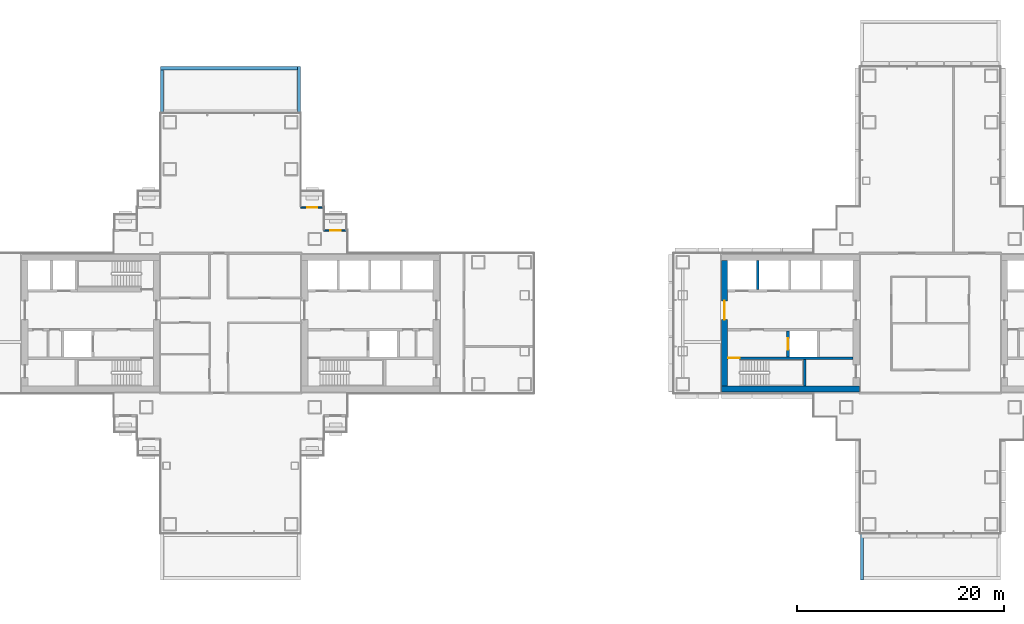
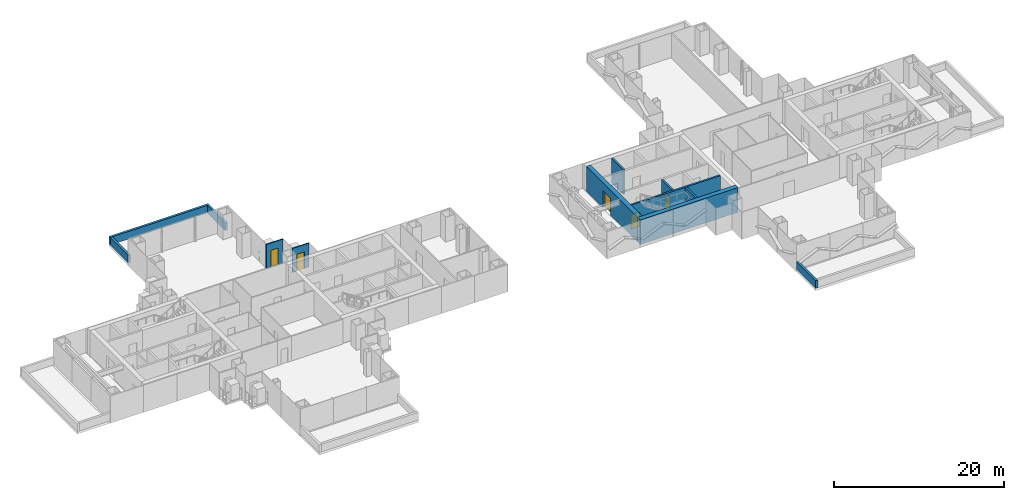
# One storey, part 13 of 20: 12 walls, 5 doors, 5 openings.
"""IFC4 building model written with IfcOpenShell, lengths in metres."""

import ifcopenshell
import ifcopenshell.guid

model = None  # the IFC model being written
_history = None  # IfcOwnerHistory: only IFC2X3 demands one
_inside = {}  # id of a spatial element -> (the spatial element, [elements in it])
_under = {}  # id of a project, library or spatial element -> (it, [spatial elements below it])
_declared = {}  # id of a project -> (the project, [libraries it declares])
_typed = {}  # id of a type object -> (the type object, [elements of that type])
_made_of = {}  # id of a material, layer set ... -> (it, [elements and type objects made of it])


def new_model(schema):
    """Start an empty IFC model of exactly this schema.

    Asked for "IFC4X3", IfcOpenShell would pick the latest addendum, in which some entities
    have other attributes; the version numbers below select the first issue.
    IFC2X3 requires an IfcOwnerHistory on every rooted entity: one is made here for all.
    """
    global model, _history
    if schema == "IFC4X3":
        model = ifcopenshell.file(schema_version=(4, 3, 0, 0))
    else:
        model = ifcopenshell.file(schema=schema)
    _inside.clear()
    _under.clear()
    _declared.clear()
    _typed.clear()
    _made_of.clear()
    _history = None
    if model.schema == "IFC2X3":
        org = make("IfcOrganization", Name="unknown")
        user = make(
            "IfcPersonAndOrganization",
            ThePerson=make("IfcPerson", FamilyName="unknown"),
            TheOrganization=org,
        )
        app = make(
            "IfcApplication",
            ApplicationDeveloper=org,
            Version="unknown",
            ApplicationFullName="unknown",
            ApplicationIdentifier="unknown",
        )
        _history = make(
            "IfcOwnerHistory",
            OwningUser=user,
            OwningApplication=app,
            ChangeAction="ADDED",
            CreationDate=0,
        )
    return model


def make(cls, **values):
    """One entity of the class cls with the attributes given. An attribute that is None is left unset."""
    return model.create_entity(
        cls, **{name: value for name, value in values.items() if value is not None}
    )


def rooted(cls, **values):
    """An entity with a GlobalId (a new one), such as an element, a storey or a relation."""
    return make(cls, GlobalId=ifcopenshell.guid.new(), OwnerHistory=_history, **values)


def si_unit(unit_type, name, prefix=None):
    """IfcSIUnit, for example si_unit("LENGTHUNIT", "METRE", prefix="MILLI")."""
    return make("IfcSIUnit", UnitType=unit_type, Prefix=prefix, Name=name)


def assignment(units):
    """IfcUnitAssignment: the units of a project."""
    return None if units is None else make("IfcUnitAssignment", Units=units)


def point(xyz):
    """IfcCartesianPoint."""
    return None if xyz is None else make("IfcCartesianPoint", Coordinates=xyz)


def direction(xyz):
    """IfcDirection."""
    return None if xyz is None else make("IfcDirection", DirectionRatios=xyz)


def frame(location, z_axis=None, x_axis=None):
    """IfcAxis2Placement3D, a coordinate frame: its origin and axes. An axis left out is left unset."""
    return make(
        "IfcAxis2Placement3D",
        Location=point(location),
        Axis=direction(z_axis),
        RefDirection=direction(x_axis),
    )


def frame_2d(location, x_axis=None):
    """IfcAxis2Placement2D, a coordinate frame in the plane: its origin and x axis."""
    return make(
        "IfcAxis2Placement2D", Location=point(location), RefDirection=direction(x_axis)
    )


def origin():
    """The frame at (0, 0, 0) with its axes left unset."""
    return frame((0.0, 0.0, 0.0))


def place(relative_to, where):
    """IfcLocalPlacement: puts the frame where relative to a parent placement (None: the world)."""
    return make(
        "IfcLocalPlacement", PlacementRelTo=relative_to, RelativePlacement=where
    )


def context(
    kind, dimensions, precision=None, world=None, true_north=None, identifier=None
):
    """IfcGeometricRepresentationContext, for example the 3D "Model" context."""
    return make(
        "IfcGeometricRepresentationContext",
        ContextIdentifier=identifier,
        ContextType=kind,
        CoordinateSpaceDimension=dimensions,
        Precision=precision,
        WorldCoordinateSystem=world,
        TrueNorth=true_north,
    )


def subcontext(parent, identifier, kind, view, scale=None):
    """IfcGeometricRepresentationSubContext, for example "Body" below "Model"."""
    return make(
        "IfcGeometricRepresentationSubContext",
        ContextIdentifier=identifier,
        ContextType=kind,
        ParentContext=parent,
        TargetScale=scale,
        TargetView=view,
    )


def project(units=None, contexts=None):
    """IfcProject with its units and contexts."""
    return rooted(
        "IfcProject",
        Name="project",
        RepresentationContexts=contexts,
        UnitsInContext=assignment(units),
    )


def spatial(cls, under=None, at=None, **own):
    """A site, building, storey or space (cls), placed at a placement, below another one or the project."""
    s = rooted(cls, ObjectPlacement=at, **own)
    if under is not None:
        _under.setdefault(under.id(), (under, []))[1].append(s)
    return s


def profile(cls, at=None, kind="AREA", **sizes):
    """A parametric profile (cls). Its sizes go by their IFC names, for example OverallWidth=200.0."""
    return make(cls, ProfileType=kind, Position=at, **sizes)


def rectangle(**sizes):
    """IfcRectangleProfileDef."""
    return profile("IfcRectangleProfileDef", **sizes)


def extrude(swept, where, along, depth):
    """IfcExtrudedAreaSolid: the profile swept, set in the frame where, extruded along a direction by depth."""
    return make(
        "IfcExtrudedAreaSolid",
        SweptArea=swept,
        Position=where,
        ExtrudedDirection=direction(along),
        Depth=depth,
    )


def shape(context_of_items, identifier, shape_type, items):
    """IfcShapeRepresentation: the items that make up one representation, for example the "Body"."""
    return make(
        "IfcShapeRepresentation",
        ContextOfItems=context_of_items,
        RepresentationIdentifier=identifier,
        RepresentationType=shape_type,
        Items=items,
    )


def material(Name=None, Category=None):
    """IfcMaterial."""
    return make("IfcMaterial", Name=Name, Category=Category)


def layer(
    of_material, thickness, ventilated=None, Name=None, Category=None, Priority=None
):
    """IfcMaterialLayer: one layer of a wall or slab, of a material (None: an air gap)."""
    return make(
        "IfcMaterialLayer",
        Material=of_material,
        LayerThickness=thickness,
        IsVentilated=ventilated,
        Name=Name,
        Category=Category,
        Priority=Priority,
    )


def layer_set(layers, Name=None):
    """IfcMaterialLayerSet."""
    return make("IfcMaterialLayerSet", MaterialLayers=layers, LayerSetName=Name)


def made_of(thing, what):
    """Note that an element or type object is made of a material, layer set ...; save() writes the relation."""
    if what is not None:
        _made_of.setdefault(what.id(), (what, []))[1].append(thing)
    return thing


def type_object(cls, material=None, **own):
    """A type object (cls), such as IfcWallType, which elements share."""
    return made_of(rooted(cls, **own), material)


def element(
    cls,
    number,
    at=None,
    inside=None,
    cuts=None,
    type_object=None,
    material=None,
    context=None,
    identifier="Body",
    shape_type=None,
    held_by="IfcProductDefinitionShape",
    body=None,
    shapes=None,
    **own,
):
    """One element of the class cls, such as IfcWall. Its Tag is "e" and its number.

    at: its placement. inside: the storey or other place that contains it. cuts: it is an
    opening in that element (IfcRelVoidsElement). A single representation is given by context,
    identifier, shape_type and body (its items); several are given by shapes. held_by: the class
    of the entity that holds the representations. save() writes the other relations.
    """
    e = rooted(cls, Tag="e%d" % number, ObjectPlacement=at, **own)
    if body is not None:
        shapes = [shape(context, identifier, shape_type, body)]
    if shapes is not None:
        e.Representation = make(held_by, Representations=shapes)
    if inside is not None:
        _inside.setdefault(inside.id(), (inside, []))[1].append(e)
    if cuts is not None:
        rooted(
            "IfcRelVoidsElement", RelatingBuildingElement=cuts, RelatedOpeningElement=e
        )
    if type_object is not None:
        _typed.setdefault(type_object.id(), (type_object, []))[1].append(e)
    return made_of(e, material)


def fill(opening, filler):
    """IfcRelFillsElement: the door or window that sits in an opening."""
    return rooted(
        "IfcRelFillsElement",
        RelatingOpeningElement=opening,
        RelatedBuildingElement=filler,
    )


def aggregate(whole, parts):
    """IfcRelAggregates: a whole, such as a stair, and the parts it consists of."""
    return rooted("IfcRelAggregates", RelatingObject=whole, RelatedObjects=parts)


def save(model, path):
    """Write the relations noted so far, then the file.

    IfcRelAggregates (storeys below a building ...), IfcRelContainedInSpatialStructure (elements
    in a storey), IfcRelDefinesByType, IfcRelAssociatesMaterial and IfcRelDeclares: one each for
    every whole, place, type object, material and project.
    """
    for whole, parts in _under.values():
        aggregate(whole, parts)
    for where, things in _inside.values():
        rooted(
            "IfcRelContainedInSpatialStructure",
            RelatedElements=things,
            RelatingStructure=where,
        )
    for kind, things in _typed.values():
        rooted("IfcRelDefinesByType", RelatedObjects=things, RelatingType=kind)
    for what, things in _made_of.values():
        rooted("IfcRelAssociatesMaterial", RelatedObjects=things, RelatingMaterial=what)
    for by, libraries in _declared.values():
        rooted("IfcRelDeclares", RelatingContext=by, RelatedDefinitions=libraries)
    model.write(path)


model = new_model("IFC4")

# Units and contexts
model_context = context("Model", 3, precision=1e-05, world=origin(), true_north=direction((0.0, 1.0)))
body_context = subcontext(model_context, "Body", "Model", "MODEL_VIEW")
ifc_project = project(units=[si_unit("LENGTHUNIT", "METRE"), si_unit("AREAUNIT", "SQUARE_METRE"), si_unit("VOLUMEUNIT", "CUBIC_METRE"), si_unit("PLANEANGLEUNIT", "RADIAN"), si_unit("MASSUNIT", "GRAM", prefix="KILO")], contexts=[model_context])

# Site, building, storey
site_placement = place(None, origin())
site = spatial("IfcSite", under=ifc_project, at=site_placement, CompositionType="ELEMENT")
building_placement = place(site_placement, origin())
building = spatial("IfcBuilding", under=site, at=building_placement, Name="Shamsa Quay Exchange Towers", CompositionType="ELEMENT")
storey_placement = place(building_placement, frame((0.0, 0.0, 81.89990234375)))
storey = spatial("IfcBuildingStorey", under=building, at=storey_placement, Name="L18", CompositionType="ELEMENT", Elevation=81.89990234375)

# Wall, opening, door
ifc_material_1 = material(Name="Aluminium EN AW-6063 T6, black anodised, with black enamelled glass infill", Category="aluminium")
ifc_layer_1 = layer(ifc_material_1, 0.14990234375)
ifc_layer_set_1 = layer_set([ifc_layer_1], Name="BALCONY DOOR BAY WALL 150")
wall_type_1 = type_object("IfcWallType", Name="BALCONY DOOR BAY WALL 150", PredefinedType="SOLIDWALL", material=ifc_layer_set_1)
wall_1_placement = place(storey_placement, frame((-24.75, 8.925048828125, 0.0)))
wall_1 = element("IfcWall", 1, at=wall_1_placement, inside=storey, type_object=wall_type_1, Name="Door bay T1-PKEN L18", PredefinedType="SOLIDWALL", context=body_context, shape_type="SweptSolid", body=[
    extrude(rectangle(XDim=2.25, YDim=0.14990234375, at=frame_2d((1.125, 0.0))), origin(), (0.0, 0.0, 1.0), 3.4501953125),
])
opening_1_placement = place(wall_1_placement, frame((0.625, 0.0, 0.0)))
opening_1 = element("IfcOpeningElement", 2, at=opening_1_placement, cuts=wall_1, Name="Opening XD105", PredefinedType="OPENING", context=body_context, shape_type="SweptSolid", body=[
    extrude(rectangle(XDim=1.0, YDim=2.39990234375, at=frame_2d((0.5, 1.199951171875))), frame((0.0, 0.0849609375, 0.0), z_axis=(0.0, -1.0, 0.0), x_axis=(1.0, 0.0, 0.0)), (0.0, 0.0, 1.0), 0.169921875),
])
ifc_material_2 = material(Name="Aluminium EN AW-6063 T6, black anodised, with laminated glass leaf", Category="aluminium")
door_type_1 = type_object("IfcDoorType", Name="BALCONY DOOR 1000x2400", OperationType="SINGLE_SWING_LEFT", PredefinedType="DOOR", material=ifc_material_2)
door_1_placement = place(opening_1_placement, origin())
door_1 = element("IfcDoor", 3, at=door_1_placement, inside=storey, type_object=door_type_1, Name="Balcony door T1-PKEN L18", OperationType="SINGLE_SWING_RIGHT", OverallHeight=2.39990234375, OverallWidth=1.0, PredefinedType="DOOR", context=body_context, shape_type="SweptSolid", body=[
    extrude(rectangle(XDim=1.0, YDim=2.39990234375, at=frame_2d((0.5, 1.199951171875))), frame((0.0, 0.02490234375, 0.0), z_axis=(0.0, -1.0, 0.0), x_axis=(1.0, 0.0, 0.0)), (0.0, 0.0, 1.0), 0.050048828125),
])
fill(opening_1, door_1)

wall_2_placement = place(storey_placement, frame((-27.0, 11.175048828125, 0.0)))
wall_2 = element("IfcWall", 4, at=wall_2_placement, inside=storey, type_object=wall_type_1, Name="Door bay T1-PKEN L18", PredefinedType="SOLIDWALL", context=body_context, shape_type="SweptSolid", body=[
    extrude(rectangle(XDim=2.25, YDim=0.14990234375, at=frame_2d((1.125, 0.0))), origin(), (0.0, 0.0, 1.0), 3.4501953125),
])
opening_2_placement = place(wall_2_placement, frame((0.625, 0.0, 0.0)))
opening_2 = element("IfcOpeningElement", 5, at=opening_2_placement, cuts=wall_2, Name="Opening XD106", PredefinedType="OPENING", context=body_context, shape_type="SweptSolid", body=[
    extrude(rectangle(XDim=1.0, YDim=2.39990234375, at=frame_2d((0.5, 1.199951171875))), frame((0.0, 0.0849609375, 0.0), z_axis=(0.0, -1.0, 0.0), x_axis=(1.0, 0.0, 0.0)), (0.0, 0.0, 1.0), 0.169921875),
])
door_2_placement = place(opening_2_placement, origin())
door_2 = element("IfcDoor", 6, at=door_2_placement, inside=storey, type_object=door_type_1, Name="Balcony door T1-PKEN L18", OperationType="SINGLE_SWING_LEFT", OverallHeight=2.39990234375, OverallWidth=1.0, PredefinedType="DOOR", context=body_context, shape_type="SweptSolid", body=[
    extrude(rectangle(XDim=1.0, YDim=2.39990234375, at=frame_2d((0.5, 1.199951171875))), frame((0.0, 0.02490234375, 0.0), z_axis=(0.0, -1.0, 0.0), x_axis=(1.0, 0.0, 0.0)), (0.0, 0.0, 1.0), 0.050048828125),
])
fill(opening_2, door_2)

# Wall
ifc_material_3 = material(Name="Concrete C70/85", Category="concrete")
ifc_layer_2 = layer(ifc_material_3, 0.60009765625)
ifc_layer_set_2 = layer_set([ifc_layer_2], Name="CORE WALL 600 C70/85")
wall_type_2 = type_object("IfcWallType", Name="CORE WALL 600 C70/85", PredefinedType="SHEAR", material=ifc_layer_set_2)
wall_3_placement = place(storey_placement, frame((13.60009765625, -6.35009765625, 0.0)))
element("IfcWall", 7, at=wall_3_placement, inside=storey, type_object=wall_type_2, Name="Core wall T2A-R08-PS", PredefinedType="SHEAR", context=body_context, shape_type="SweptSolid", body=[
    extrude(rectangle(XDim=13.2998046875, YDim=0.60009765625, at=frame_2d((6.64990234375, 0.0))), origin(), (0.0, 0.0, 1.0), 3.550048828125),
])

# Wall, opening, door
wall_4_placement = place(storey_placement, frame((13.89990234375, 6.050048828125, 0.0), z_axis=(0.0, 0.0, 1.0), x_axis=(0.0, -1.0, 0.0)))
wall_4 = element("IfcWall", 8, at=wall_4_placement, inside=storey, type_object=wall_type_2, Name="Core wall T2A-R08-PF", PredefinedType="SHEAR", context=body_context, shape_type="SweptSolid", body=[
    extrude(rectangle(XDim=12.10009765625, YDim=0.60009765625, at=frame_2d((6.050048828125, 0.0))), origin(), (0.0, 0.0, 1.0), 3.550048828125),
])
opening_3_placement = place(wall_4_placement, frame((3.89990234375, 0.0, 0.0)))
opening_3 = element("IfcOpeningElement", 9, at=opening_3_placement, cuts=wall_4, Name="Opening T2A-R08-LBD01", PredefinedType="OPENING", context=body_context, shape_type="SweptSolid", body=[
    extrude(rectangle(XDim=1.800048828125, YDim=2.39990234375, at=frame_2d((0.89990234375, 1.199951171875))), frame((0.0, 0.31005859375, 0.0), z_axis=(0.0, -1.0, 0.0), x_axis=(1.0, 0.0, 0.0)), (0.0, 0.0, 1.0), 0.6201171875),
])
ifc_material_4 = material(Name="Steel, fire rated", Category="steel")
door_type_2 = type_object("IfcDoorType", Name="LIFT LOBBY DOOR PAIR 1800", OperationType="DOUBLE_DOOR_SINGLE_SWING", PredefinedType="DOOR", material=ifc_material_4)
door_3_placement = place(opening_3_placement, origin())
door_3 = element("IfcDoor", 10, at=door_3_placement, inside=storey, type_object=door_type_2, Name="T2A-R08-LBD01", OperationType="DOUBLE_DOOR_SINGLE_SWING", OverallHeight=2.39990234375, OverallWidth=1.800048828125, PredefinedType="DOOR", context=body_context, shape_type="SweptSolid", body=[
    extrude(rectangle(XDim=1.800048828125, YDim=2.39990234375, at=frame_2d((0.89990234375, 1.199951171875))), frame((0.0, 0.02490234375, 0.0), z_axis=(0.0, -1.0, 0.0), x_axis=(1.0, 0.0, 0.0)), (0.0, 0.0, 1.0), 0.050048828125),
])
fill(opening_3, door_3)

# Walls
ifc_material_5 = material(Name="Reinforced concrete C30/37", Category="concrete")
ifc_layer_3 = layer(ifc_material_5, 0.300048828125)
ifc_layer_set_3 = layer_set([ifc_layer_3], Name="ROOF PARAPET 300 C30/37")
wall_type_3 = type_object("IfcWallType", Name="ROOF PARAPET 300 C30/37", PredefinedType="PARAPET", material=ifc_layer_set_3)
wall_5_placement = place(storey_placement, frame((-27.14990234375, 20.25, 0.0), z_axis=(0.0, 0.0, 1.0), x_axis=(0.0, 1.0, 0.0)))
element("IfcWall", 11, at=wall_5_placement, inside=storey, type_object=wall_type_3, Name="Parapet L17 1", PredefinedType="PARAPET", context=body_context, shape_type="SweptSolid", body=[
    extrude(rectangle(XDim=4.5, YDim=0.300048828125, at=frame_2d((2.25, 0.0))), origin(), (0.0, 0.0, 1.0), 1.10009765625),
])
wall_6_placement = place(storey_placement, frame((-27.300048828125, 24.60009765625, 0.0), z_axis=(0.0, 0.0, 1.0), x_axis=(-1.0, 0.0, 0.0)))
element("IfcWall", 12, at=wall_6_placement, inside=storey, type_object=wall_type_3, Name="Parapet L17 2", PredefinedType="PARAPET", context=body_context, shape_type="SweptSolid", body=[
    extrude(rectangle(XDim=13.199951171875, YDim=0.300048828125, at=frame_2d((6.60009765625, 0.0))), origin(), (0.0, 0.0, 1.0), 1.10009765625),
])
wall_7_placement = place(storey_placement, frame((-40.35009765625, 24.449951171875, 0.0), z_axis=(0.0, 0.0, 1.0), x_axis=(0.0, -1.0, 0.0)))
element("IfcWall", 13, at=wall_7_placement, inside=storey, type_object=wall_type_3, Name="Parapet L17 3", PredefinedType="PARAPET", context=body_context, shape_type="SweptSolid", body=[
    extrude(rectangle(XDim=4.199951171875, YDim=0.300048828125, at=frame_2d((2.10009765625, 0.0))), origin(), (0.0, 0.0, 1.0), 1.10009765625),
])
wall_8_placement = place(storey_placement, frame((27.14990234375, -20.25, 0.0), z_axis=(0.0, 0.0, 1.0), x_axis=(0.0, -1.0, 0.0)))
element("IfcWall", 14, at=wall_8_placement, inside=storey, type_object=wall_type_3, Name="Parapet L17 1", PredefinedType="PARAPET", context=body_context, shape_type="SweptSolid", body=[
    extrude(rectangle(XDim=4.5, YDim=0.300048828125, at=frame_2d((2.25, 0.0))), origin(), (0.0, 0.0, 1.0), 1.10009765625),
])

# Wall, opening, door
ifc_material_6 = material(Name="Concrete C50/60", Category="concrete")
ifc_layer_4 = layer(ifc_material_6, 0.25)
ifc_layer_set_4 = layer_set([ifc_layer_4], Name="SHAFT WALL 250 C50/60")
wall_type_4 = type_object("IfcWallType", Name="SHAFT WALL 250 C50/60", PredefinedType="SHEAR", material=ifc_layer_set_4)
wall_9_placement = place(storey_placement, frame((26.300048828125, -3.375, 0.0), z_axis=(0.0, 0.0, 1.0), x_axis=(-1.0, 0.0, 0.0)))
wall_9 = element("IfcWall", 15, at=wall_9_placement, inside=storey, type_object=wall_type_4, Name="Shaft wall T2A-R08-STL", PredefinedType="SHEAR", context=body_context, shape_type="SweptSolid", body=[
    extrude(rectangle(XDim=12.10009765625, YDim=0.25, at=frame_2d((6.050048828125, 0.0))), origin(), (0.0, 0.0, 1.0), 3.550048828125),
])
opening_4_placement = place(wall_9_placement, frame((10.949951171875, 0.0, 0.0)))
opening_4 = element("IfcOpeningElement", 16, at=opening_4_placement, cuts=wall_9, Name="Opening T2A-R08-SD04", PredefinedType="OPENING", context=body_context, shape_type="SweptSolid", body=[
    extrude(rectangle(XDim=1.10009765625, YDim=2.10009765625, at=frame_2d((0.550048828125, 1.050048828125))), frame((0.0, 0.135009765625, 0.0), z_axis=(0.0, -1.0, 0.0), x_axis=(1.0, 0.0, 0.0)), (0.0, 0.0, 1.0), 0.27001953125),
])
door_type_3 = type_object("IfcDoorType", Name="STAIR DOOR 1100", OperationType="SINGLE_SWING_LEFT", PredefinedType="DOOR", material=ifc_material_4)
door_4_placement = place(opening_4_placement, origin())
door_4 = element("IfcDoor", 17, at=door_4_placement, inside=storey, type_object=door_type_3, Name="T2A-R08-SD04", OperationType="SINGLE_SWING_RIGHT", OverallHeight=2.10009765625, OverallWidth=1.10009765625, PredefinedType="DOOR", context=body_context, shape_type="SweptSolid", body=[
    extrude(rectangle(XDim=1.10009765625, YDim=2.10009765625, at=frame_2d((0.550048828125, 1.050048828125))), frame((0.0, 0.02490234375, 0.0), z_axis=(0.0, -1.0, 0.0), x_axis=(1.0, 0.0, 0.0)), (0.0, 0.0, 1.0), 0.050048828125),
])
fill(opening_4, door_4)

# Wall
wall_10_placement = place(storey_placement, frame((21.625, -6.050048828125, 0.0), z_axis=(0.0, 0.0, 1.0), x_axis=(0.0, 1.0, 0.0)))
element("IfcWall", 18, at=wall_10_placement, inside=storey, type_object=wall_type_4, Name="Shaft wall T2A-R08-STF", PredefinedType="SHEAR", context=body_context, shape_type="SweptSolid", body=[
    extrude(rectangle(XDim=2.550048828125, YDim=0.25, at=frame_2d((1.27490234375, 0.0))), origin(), (0.0, 0.0, 1.0), 3.550048828125),
])

# Wall, opening, door
wall_11_placement = place(storey_placement, frame((20.02490234375, -3.25, 0.0), z_axis=(0.0, 0.0, 1.0), x_axis=(0.0, 1.0, 0.0)))
wall_11 = element("IfcWall", 19, at=wall_11_placement, inside=storey, type_object=wall_type_4, Name="Shaft wall T2A-R08-FFF", PredefinedType="SHEAR", context=body_context, shape_type="SweptSolid", body=[
    extrude(rectangle(XDim=2.5, YDim=0.25, at=frame_2d((1.25, 0.0))), origin(), (0.0, 0.0, 1.0), 3.550048828125),
])
opening_5_placement = place(wall_11_placement, frame((0.699951171875, 0.0, 0.0)))
opening_5 = element("IfcOpeningElement", 20, at=opening_5_placement, cuts=wall_11, Name="Opening T2A-R08-LDF07", PredefinedType="OPENING", context=body_context, shape_type="SweptSolid", body=[
    extrude(rectangle(XDim=1.10009765625, YDim=2.10009765625, at=frame_2d((0.550048828125, 1.050048828125))), frame((0.0, 0.135009765625, 0.0), z_axis=(0.0, -1.0, 0.0), x_axis=(1.0, 0.0, 0.0)), (0.0, 0.0, 1.0), 0.27001953125),
])
door_type_4 = type_object("IfcDoorType", Name="FIRE SERVICE LANDING DOOR 1100", OperationType="SLIDING_TO_LEFT", PredefinedType="DOOR", material=ifc_material_4)
door_5_placement = place(opening_5_placement, origin())
door_5 = element("IfcDoor", 21, at=door_5_placement, inside=storey, type_object=door_type_4, Name="T2A-R08-LDF07", OperationType="SLIDING_TO_LEFT", OverallHeight=2.10009765625, OverallWidth=1.10009765625, PredefinedType="DOOR", context=body_context, shape_type="SweptSolid", body=[
    extrude(rectangle(XDim=1.10009765625, YDim=2.10009765625, at=frame_2d((0.550048828125, 1.050048828125))), frame((0.0, 0.02490234375, 0.0), z_axis=(0.0, -1.0, 0.0), x_axis=(1.0, 0.0, 0.0)), (0.0, 0.0, 1.0), 0.050048828125),
])
fill(opening_5, door_5)

# Wall
wall_12_placement = place(storey_placement, frame((17.125, 3.25, 0.0), z_axis=(0.0, 0.0, 1.0), x_axis=(0.0, 1.0, 0.0)))
element("IfcWall", 22, at=wall_12_placement, inside=storey, type_object=wall_type_4, Name="Shaft wall T2A-R08-D0", PredefinedType="SHEAR", context=body_context, shape_type="SweptSolid", body=[
    extrude(rectangle(XDim=2.800048828125, YDim=0.25, at=frame_2d((1.39990234375, 0.0))), origin(), (0.0, 0.0, 1.0), 3.550048828125),
])

save(model, "model.ifc")
